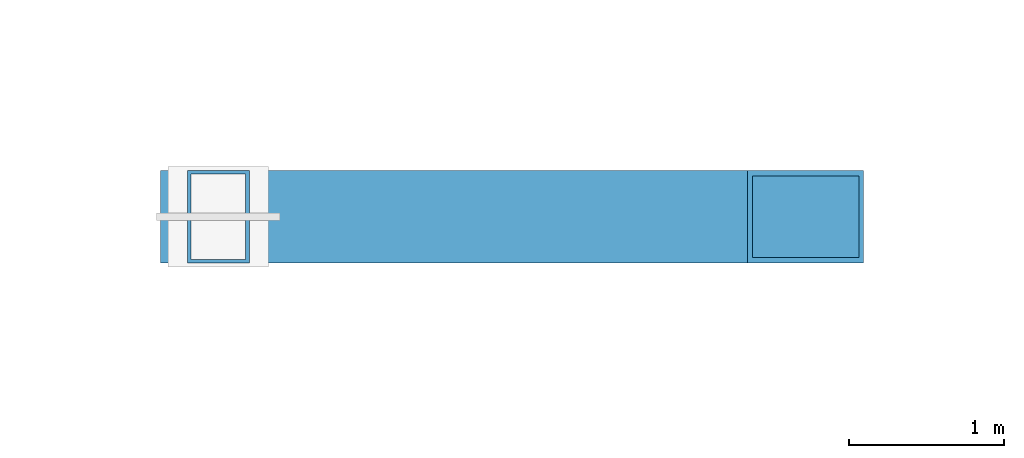
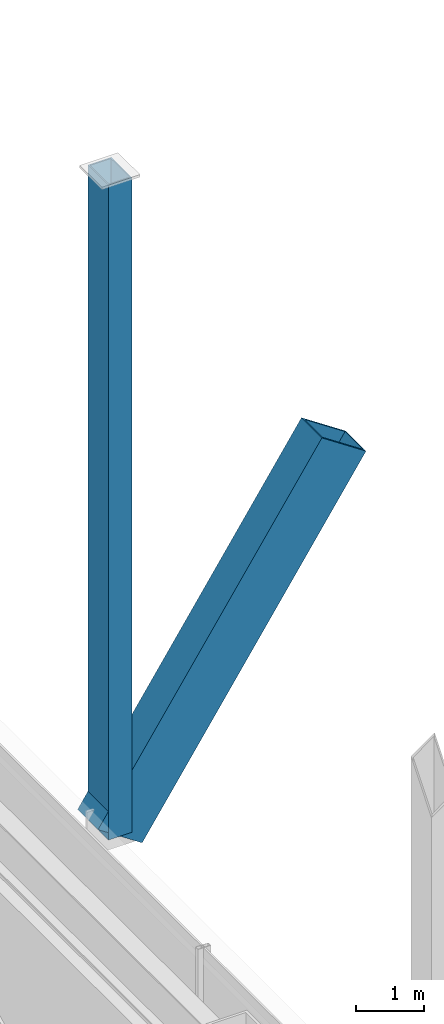
# One storey, part 19 of 40: 2 members.
"""IFC4 building model written with IfcOpenShell, lengths in metres."""

from ifc_helpers import new_model, si_unit, direction, frame, origin, origin_2d, place, context, subcontext, project, spatial, hollow_rectangle, extrude, material, material_profile, profile_set, type_object, element, save


model = new_model("IFC4")

# Units and contexts
model_context = context("Model", 3, precision=1e-05, world=origin(), true_north=direction((0.0, 1.0)))
body_context = subcontext(model_context, "Body", "Model", "MODEL_VIEW")
ifc_project = project(units=[si_unit("LENGTHUNIT", "METRE"), si_unit("AREAUNIT", "SQUARE_METRE"), si_unit("VOLUMEUNIT", "CUBIC_METRE"), si_unit("PLANEANGLEUNIT", "RADIAN"), si_unit("MASSUNIT", "GRAM", prefix="KILO")], contexts=[model_context])

# Site, building, storey
site_placement = place(None, origin())
site = spatial("IfcSite", under=ifc_project, at=site_placement, CompositionType="ELEMENT")
building_placement = place(site_placement, origin())
building = spatial("IfcBuilding", under=site, at=building_placement, Name="Brelmoor Portico Tower", CompositionType="ELEMENT")
storey_placement = place(building_placement, frame((0.0, 0.0, 4.800048828125)))
storey = spatial("IfcBuildingStorey", under=building, at=storey_placement, Name="L01", CompositionType="ELEMENT", Elevation=4.800048828125)

# Members
ifc_material_1 = material(Name="Steel Q420B", Category="steel")
ifc_material_profile_1 = material_profile(ifc_material_1, hollow_rectangle(XDim=0.60009765625, YDim=0.89990234375, WallThickness=0.035888671875, at=origin_2d()), Name="RHS 600x900x36")
ifc_profile_set_1 = profile_set([ifc_material_profile_1], Name="Steel Q420B")
member_type_1 = type_object("IfcMemberType", Name="MB-ARCH-RIB", PredefinedType="CHORD", material=ifc_profile_set_1)
member_1_placement = place(storey_placement, frame((-11.199951171875, 27.550048828125, 1.599853515625), z_axis=(0.554691972244, 0.0, 0.832055776933), x_axis=(0.0, 1.0, 0.0)))
element("IfcMember", 1, at=member_1_placement, inside=storey, type_object=member_type_1, Name="Giant Portico Arch Rib N1-2", PredefinedType="CHORD", context=body_context, shape_type="SweptSolid", body=[
    extrude(hollow_rectangle(XDim=0.60009765625, YDim=0.89990234375, WallThickness=0.035888671875, at=origin_2d()), origin(), (0.0, 0.0, 1.0), 6.850830078125),
])
ifc_material_2 = material(Name="Steel Q355B", Category="steel")
ifc_material_profile_2 = material_profile(ifc_material_2, hollow_rectangle(XDim=0.39990234375, YDim=0.60009765625, WallThickness=0.02392578125, at=origin_2d()), Name="RHS 400x600x24")
ifc_profile_set_2 = profile_set([ifc_material_profile_2], Name="Steel Q355B")
member_type_2 = type_object("IfcMemberType", Name="MB-ARCH-STRUT", PredefinedType="BRACE", material=ifc_profile_set_2)
member_2_placement = place(storey_placement, frame((-11.199951171875, 27.550048828125, 1.599853515625), z_axis=(0.0, 0.0, 1.0), x_axis=(1.0, 0.0, 0.0)))
element("IfcMember", 2, at=member_2_placement, inside=storey, type_object=member_type_2, Name="Portico Arch Spandrel Strut N1-1", PredefinedType="BRACE", context=body_context, shape_type="SweptSolid", body=[
    extrude(hollow_rectangle(XDim=0.39990234375, YDim=0.60009765625, WallThickness=0.02392578125, at=origin_2d()), origin(), (0.0, 0.0, 1.0), 11.755126953125),
])

save(model, "model.ifc")
